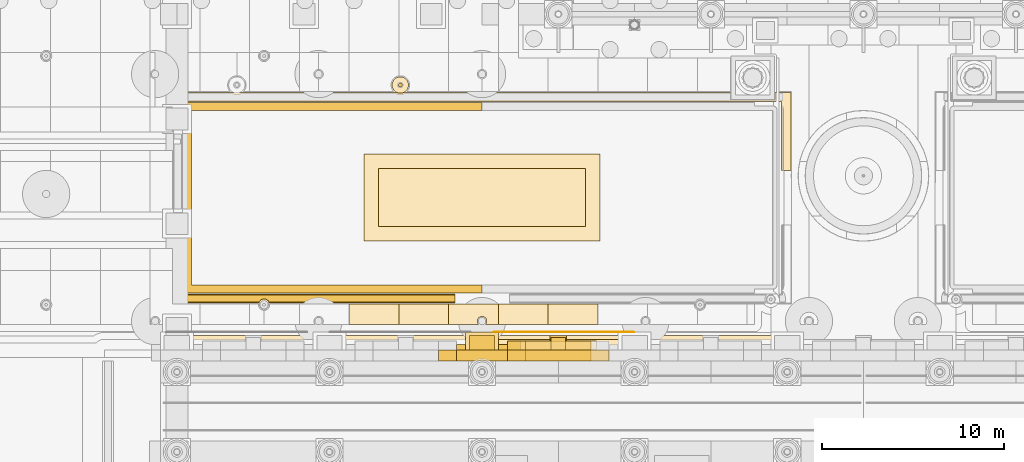
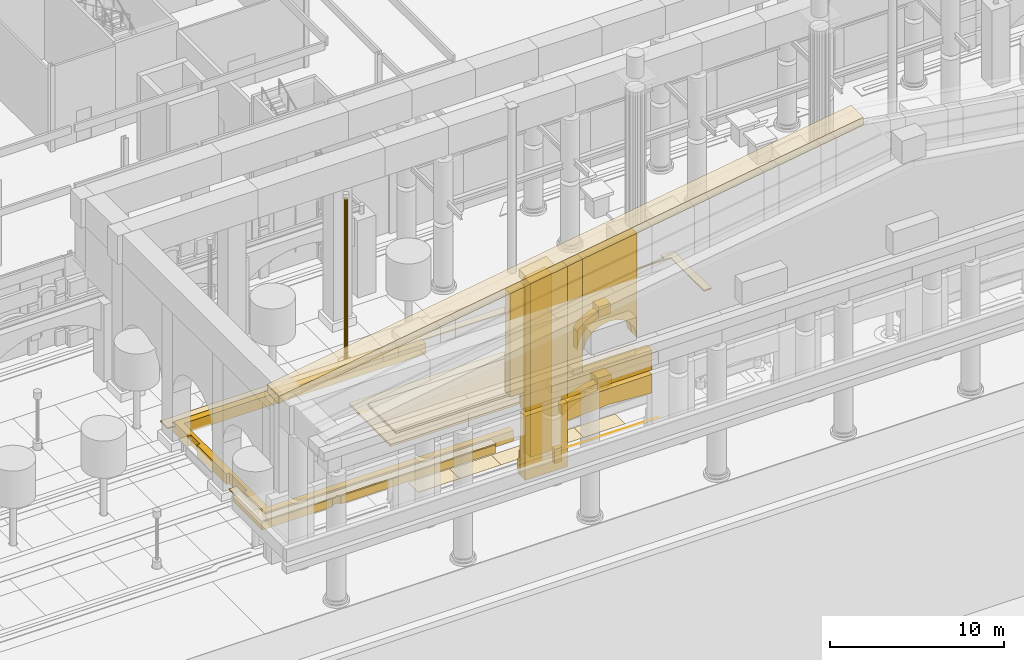
# One storey, part 113 of 222: 34 coverings.
"""IFC4 building model written with IfcOpenShell, lengths in metres."""

from ifc_helpers import new_model, si_unit, direction, frame, origin, origin_2d, place, context, subcontext, project, spatial, polyline, rectangle, circle, outline, extrude, material, layer, layer_set, type_object, element, save


model = new_model("IFC4")

# Units and contexts
model_context = context("Model", 3, precision=1e-05, world=origin(), true_north=direction((0.0, 1.0)))
body_context = subcontext(model_context, "Body", "Model", "MODEL_VIEW")
ifc_project = project(units=[si_unit("LENGTHUNIT", "METRE"), si_unit("AREAUNIT", "SQUARE_METRE"), si_unit("VOLUMEUNIT", "CUBIC_METRE"), si_unit("PLANEANGLEUNIT", "RADIAN"), si_unit("MASSUNIT", "GRAM", prefix="KILO")], contexts=[model_context])

# Site, building, storey
site_placement = place(None, origin())
site = spatial("IfcSite", under=ifc_project, at=site_placement, CompositionType="ELEMENT")
building_placement = place(site_placement, origin())
building = spatial("IfcBuilding", under=site, at=building_placement, Name="Sava Quay Ferry Terminal", CompositionType="ELEMENT")
storey_placement = place(building_placement, origin())
storey = spatial("IfcBuildingStorey", under=building, at=storey_placement, Name="L00", CompositionType="ELEMENT", Elevation=0.0)

# Coverings
ifc_material_1 = material(Name="Limestone Mutalj", Category="masonry")
ifc_layer_1 = layer(ifc_material_1, 0.60009765625)
ifc_layer_set_1 = layer_set([ifc_layer_1], Name="Limestone Mutalj")
covering_type_1 = type_object("IfcCoveringType", Name="Arcade spandrel 600", PredefinedType="CLADDING", material=ifc_layer_set_1)
covering_1_placement = place(storey_placement, frame((43.39990234375, 0.39990234375, 3.199951171875), z_axis=(0.0, 1.0, 0.0), x_axis=(0.0, 0.0, 1.0)))
element("IfcCovering", 1, at=covering_1_placement, inside=storey, type_object=covering_type_1, Name="Arcade spandrel", PredefinedType="CLADDING", context=body_context, shape_type="SweptSolid", body=[
    extrude(outline(polyline([(0.0, 0.0), (1.300048828125, 0.0), (1.300048828125, 5.60009765625), (0.0, 5.60009765625), (0.334228515625, 0.50048828125), (0.60009765625, 1.0400390625), (0.79345703125, 1.609619140625), (0.91064453125, 2.19970703125), (0.949951171875, 2.800048828125), (0.91064453125, 3.400390625), (0.79345703125, 3.990478515625), (0.60009765625, 4.560302734375), (0.334228515625, 5.099853515625), (0.0, 0.0)])), origin(), (0.0, 0.0, -1.0), 0.60009765625),
])
ifc_material_2 = material(Name="Limestone Mutalj", Category="masonry")
ifc_layer_2 = layer(ifc_material_2, 0.60009765625)
ifc_layer_set_2 = layer_set([ifc_layer_2], Name="Limestone Mutalj")
covering_type_2 = type_object("IfcCoveringType", Name="Arcade wall pier 2800", PredefinedType="CLADDING", material=ifc_layer_set_2)
covering_2_placement = place(storey_placement, frame((42.0, 0.10009765625, 0.0), z_axis=(0.0, 0.0, 1.0), x_axis=(1.0, 0.0, 0.0)))
element("IfcCovering", 2, at=covering_2_placement, inside=storey, type_object=covering_type_2, Name="Arcade wall pier", PredefinedType="CLADDING", context=body_context, shape_type="SweptSolid", body=[
    extrude(rectangle(XDim=2.800048828125, YDim=0.60009765625, at=origin_2d()), origin(), (0.0, 0.0, 1.0), 4.5),
])
ifc_material_3 = material(Name="Limestone Mutalj", Category="masonry")
ifc_layer_3 = layer(ifc_material_3, 0.5)
ifc_layer_set_3 = layer_set([ifc_layer_3], Name="Limestone Mutalj")
covering_type_3 = type_object("IfcCoveringType", Name="Arch archivolt 500", PredefinedType="MOLDING", material=ifc_layer_set_3)
covering_3_placement = place(storey_placement, frame((43.39990234375, 0.39990234375, 3.199951171875), z_axis=(0.0, -1.0, 0.0), x_axis=(0.807262114097, 0.0, 0.590193086324)))
element("IfcCovering", 3, at=covering_3_placement, inside=storey, type_object=covering_type_3, Name="Arch archivolt", PredefinedType="MOLDING", context=body_context, shape_type="SweptSolid", body=[
    extrude(outline(polyline([(0.0, 0.0), (0.20807213303693342, 0.0), (0.40946312569333504, -0.008724756359381552), (0.6048553291412851, -0.02606827834192732), (0.7947191130804292, -0.05055987286725966), (0.9793045583559503, -0.08268480563038433), (1.159082034667494, -0.12097238355092349), (1.3343016228602433, -0.16590787232388304), (1.5050544176750553, -0.2169530108861486), (1.6715756039617524, -0.2733724526975312), (1.8339711724565528, -0.33584854893011096), (1.9922792225322041, -0.40350186293473334), (2.1470380152518214, -0.47642348945225554), (2.2977092895522895, -0.5545223337418203), (2.4448313064967238, -0.6378894905442849), (2.741224660639209, -0.23248466420227665), (2.5951112744575355, -0.14773790906029127), (2.44602499135569, -0.06747112452290827), (2.293283460161593, 0.008209698673655286), (2.1372808518293933, 0.07901638031146774), (1.9776229954049414, 0.14523710060846096), (1.8145599717334213, 0.20638659386962865), (1.6475535197517182, 0.26255595483582816), (1.476800724936906, 0.3136010933980936), (1.3020664024391628, 0.35878666301623635), (1.1232445615222704, 0.39879501486233637), (0.9401530127045152, 0.4325496268101647), (0.7522534949227826, 0.46014159360057844), (0.5596519989132898, 0.4808885640614975), (0.3618102636129225, 0.49488163293377874), (0.0, 0.0)])), origin(), (0.0, 0.0, -1.0), 0.5),
])
ifc_material_4 = material(Name="Limestone Mutalj", Category="masonry")
ifc_layer_4 = layer(ifc_material_4, 0.800048828125)
ifc_layer_set_4 = layer_set([ifc_layer_4], Name="Limestone Mutalj")
covering_type_4 = type_object("IfcCoveringType", Name="Arch keystone 900", PredefinedType="CLADDING", material=ifc_layer_set_4)
covering_4_placement = place(storey_placement, frame((46.199951171875, 0.800048828125, 4.14990234375), z_axis=(0.0, 0.0, 1.0), x_axis=(1.0, 0.0, 0.0)))
element("IfcCovering", 4, at=covering_4_placement, inside=storey, type_object=covering_type_4, Name="Arch keystone", PredefinedType="CLADDING", context=body_context, shape_type="SweptSolid", body=[
    extrude(rectangle(XDim=0.89990234375, YDim=0.800048828125, at=origin_2d()), origin(), (0.0, 0.0, 1.0), 0.800048828125),
])
ifc_material_5 = material(Name="Limestone Mutalj", Category="masonry")
ifc_layer_5 = layer(ifc_material_5, 0.60009765625)
ifc_layer_set_5 = layer_set([ifc_layer_5], Name="Limestone Mutalj")
covering_type_5 = type_object("IfcCoveringType", Name="Attic arch head panel 600", PredefinedType="CLADDING", material=ifc_layer_set_5)
covering_5_placement = place(storey_placement, frame((44.39990234375, -0.199951171875, 7.39990234375), z_axis=(0.0, -1.0, 0.0), x_axis=(0.130360467782, 0.0, 0.991466665319)))
element("IfcCovering", 5, at=covering_5_placement, inside=storey, type_object=covering_type_5, Name="Attic arch head panel", PredefinedType="CLADDING", context=body_context, shape_type="SweptSolid", body=[
    extrude(outline(polyline([(0.0, 0.0), (0.47007576696975106, -6.938893903907228e-18), (0.9239096038088954, -0.12180908706656961), (1.330831494966846, -0.35690149367102364), (1.662879321966777, -0.689254396544689), (1.8978626823320743, -1.0961762877026398), (2.019343616297553, -1.5500332017691405), (2.019343616297553, -2.0201089687388913), (1.8975345292309835, -2.473942805578036), (1.6626841799178673, -2.8808328704499067), (1.330331277044202, -3.212880697449838), (0.9234093858862513, -3.447864057815135), (0.46931041452841277, -3.5693768180666936), (7.7312712119527225, -2.614556409395399), (6.708617829426178, 0.8820655186935413), (0.0, 0.0)])), origin(), (0.0, 0.0, -1.0), 0.60009765625),
])
ifc_material_6 = material(Name="Limestone Mutalj", Category="masonry")
ifc_layer_6 = layer(ifc_material_6, 0.60009765625)
ifc_layer_set_6 = layer_set([ifc_layer_6], Name="Limestone Mutalj")
covering_type_6 = type_object("IfcCoveringType", Name="Attic wall pier 2800", PredefinedType="CLADDING", material=ifc_layer_set_6)
covering_6_placement = place(storey_placement, frame((40.60009765625, -0.199951171875, 4.800048828125), z_axis=(0.0, -1.0, 0.0), x_axis=(1.0, 0.0, 0.0)))
element("IfcCovering", 6, at=covering_6_placement, inside=storey, type_object=covering_type_6, Name="Attic wall pier", PredefinedType="CLADDING", context=body_context, shape_type="SweptSolid", body=[
    extrude(outline(polyline([(0.0, 0.0), (2.7998046875, 0.0), (2.7998046875, 9.211181640625), (0.0, 8.777099609375), (0.0, 0.0)])), origin(), (0.0, 0.0, -1.0), 0.60009765625),
])
ifc_material_7 = material(Name="Limestone Mutalj", Category="masonry")
ifc_layer_7 = layer(ifc_material_7, 0.60009765625)
ifc_layer_set_7 = layer_set([ifc_layer_7], Name="Limestone Mutalj")
covering_type_7 = type_object("IfcCoveringType", Name="Attic window jamb panel 600", PredefinedType="CLADDING", material=ifc_layer_set_7)
covering_7_placement = place(storey_placement, frame((39.60009765625, -0.199951171875, 6.199951171875), z_axis=(0.0, -1.0, 0.0), x_axis=(1.0, 0.0, 0.0)))
element("IfcCovering", 7, at=covering_7_placement, inside=storey, type_object=covering_type_7, Name="Attic window jamb panel", PredefinedType="CLADDING", context=body_context, shape_type="SweptSolid", body=[
    extrude(outline(polyline([(0.0, 0.0), (1.0, 0.0), (1.0, 7.377197265625), (0.0, 7.22216796875), (0.0, 0.0)])), origin(), (0.0, 0.0, -1.0), 0.60009765625),
])
covering_8_placement = place(storey_placement, frame((43.39990234375, -0.199951171875, 6.199951171875), z_axis=(0.0, -1.0, 0.0), x_axis=(1.0, 0.0, 0.0)))
element("IfcCovering", 8, at=covering_8_placement, inside=storey, type_object=covering_type_7, Name="Attic window jamb panel", PredefinedType="CLADDING", context=body_context, shape_type="SweptSolid", body=[
    extrude(outline(polyline([(0.0, 0.0), (1.0, 0.0), (1.0, 7.96630859375), (0.0, 7.811279296875), (0.0, 0.0)])), origin(), (0.0, 0.0, -1.0), 0.60009765625),
])
ifc_material_8 = material(Name="Limestone Mutalj", Category="masonry")
ifc_layer_8 = layer(ifc_material_8, 0.60009765625)
ifc_layer_set_8 = layer_set([ifc_layer_8], Name="Limestone Mutalj")
covering_type_8 = type_object("IfcCoveringType", Name="Attic window sill panel 600", PredefinedType="CLADDING", material=ifc_layer_set_8)
covering_9_placement = place(storey_placement, frame((43.39990234375, -0.199951171875, 4.800048828125), z_axis=(0.0, -1.0, 0.0), x_axis=(1.0, 0.0, 0.0)))
element("IfcCovering", 9, at=covering_9_placement, inside=storey, type_object=covering_type_8, Name="Attic window sill panel", PredefinedType="CLADDING", context=body_context, shape_type="SweptSolid", body=[
    extrude(outline(polyline([(0.0, 0.0), (5.60009765625, 0.0), (5.60009765625, 1.39990234375), (0.0, 1.39990234375), (0.0, 0.0)])), origin(), (0.0, 0.0, -1.0), 0.60009765625),
])
ifc_material_9 = material(Name="Limestone Mutalj", Category="masonry")
ifc_layer_9 = layer(ifc_material_9, 0.800048828125)
ifc_layer_set_9 = layer_set([ifc_layer_9], Name="Limestone Mutalj")
covering_type_9 = type_object("IfcCoveringType", Name="Back wall pilaster 800", PredefinedType="CLADDING", material=ifc_layer_set_9)
covering_10_placement = place(storey_placement, frame((41.300048828125, 0.39990234375, 1.0), z_axis=(0.0, -1.0, 0.0), x_axis=(1.0, 0.0, 0.0)))
element("IfcCovering", 10, at=covering_10_placement, inside=storey, type_object=covering_type_9, Name="Back wall pilaster", PredefinedType="CLADDING", context=body_context, shape_type="SweptSolid", body=[
    extrude(outline(polyline([(0.0, 0.0), (1.39990234375, 0.0), (1.39990234375, 12.402587890625), (0.0, 12.185791015625), (0.0, 0.0)])), origin(), (0.0, 0.0, -1.0), 0.800048828125),
])
ifc_material_10 = material(Name="Limestone Mutalj", Category="masonry")
ifc_layer_10 = layer(ifc_material_10, 1.0)
ifc_layer_set_10 = layer_set([ifc_layer_10], Name="Limestone Mutalj")
covering_type_10 = type_object("IfcCoveringType", Name="Back wall pilaster base 1000", PredefinedType="MOLDING", material=ifc_layer_set_10)
covering_11_placement = place(storey_placement, frame((42.0, 0.89990234375, 0.0), z_axis=(0.0, 0.0, 1.0), x_axis=(1.0, 0.0, 0.0)))
element("IfcCovering", 11, at=covering_11_placement, inside=storey, type_object=covering_type_10, Name="Back wall pilaster base", PredefinedType="MOLDING", context=body_context, shape_type="SweptSolid", body=[
    extrude(rectangle(XDim=1.800048828125, YDim=1.0, at=origin_2d()), origin(), (0.0, 0.0, 1.0), 1.0),
])
ifc_material_11 = material(Name="Limestone Mutalj", Category="masonry")
ifc_layer_11 = layer(ifc_material_11, 1.0)
ifc_layer_set_11 = layer_set([ifc_layer_11], Name="Limestone Mutalj")
covering_type_11 = type_object("IfcCoveringType", Name="Back wall pilaster capital 1000", PredefinedType="MOLDING", material=ifc_layer_set_11)
covering_12_placement = place(storey_placement, frame((41.10009765625, 0.39990234375, 13.15478515625), z_axis=(0.0, -1.0, 0.0), x_axis=(0.988213093649, 0.0, 0.15308455683)))
element("IfcCovering", 12, at=covering_12_placement, inside=storey, type_object=covering_type_11, Name="Back wall pilaster capital", PredefinedType="MOLDING", context=body_context, shape_type="SweptSolid", body=[
    extrude(outline(polyline([(0.0, 0.0), (1.8212718482137216, 0.0), (1.897814126628515, 0.4941065468247433), (0.07654227841479339, 0.4941065468247433), (0.0, 0.0)])), origin(), (0.0, 0.0, -1.0), 1.0),
])
ifc_material_12 = material(Name="Basalt setts", Category="masonry")
ifc_layer_12 = layer(ifc_material_12, 0.02001953125)
ifc_layer_set_12 = layer_set([ifc_layer_12], Name="Basalt setts")
covering_type_12 = type_object("IfcCoveringType", Name="Basalt inlay line 20", PredefinedType="FLOORING", material=ifc_layer_set_12)
covering_13_placement = place(storey_placement, frame((0.0, 0.0, 0.050048828125)))
element("IfcCovering", 13, at=covering_13_placement, inside=storey, type_object=covering_type_12, Name="Basalt inlay line", PredefinedType="FLOORING", context=body_context, shape_type="SweptSolid", body=[
    extrude(outline(polyline([(50.3759765625, 1.3798828125), (50.339111328125, 1.419921875), (42.660888671875, 1.419921875), (42.623046875, 1.3798828125), (50.3759765625, 1.3798828125)])), origin(), (0.0, 0.0, 1.0), 0.02001953125),
])
ifc_material_13 = material(Name="Foliage clipped hedge")
ifc_layer_13 = layer(ifc_material_13, 0.449951171875)
ifc_layer_set_13 = layer_set([ifc_layer_13], Name="Foliage clipped hedge")
covering_type_13 = type_object("IfcCoveringType", Name="Clipped hedge 450", PredefinedType="CLADDING", material=ifc_layer_set_13)
covering_14_placement = place(storey_placement, origin())
element("IfcCovering", 14, at=covering_14_placement, inside=storey, type_object=covering_type_13, Name="Clipped hedge", PredefinedType="CLADDING", context=body_context, shape_type="SweptSolid", body=[
    extrude(outline(polyline([(25.550048828125, 3.550048828125), (42.0, 3.550048828125), (42.0, 3.989990234375), (26.0, 3.989990234375), (25.993896484375, 3.991943359375), (25.990966796875, 3.9951171875), (25.989990234375, 4.0), (25.989990234375, 13.60009765625), (25.992919921875, 13.60693359375), (26.0, 13.610107421875), (42.0, 13.610107421875), (42.0, 14.050048828125), (25.550048828125, 14.050048828125), (25.550048828125, 12.409912109375), (25.75, 12.409912109375), (25.757080078125, 12.406982421875), (25.760009765625, 12.39990234375), (25.760009765625, 11.39794921875), (25.756103515625, 11.39208984375), (25.75, 11.389892578125), (25.550048828125, 11.389892578125), (25.550048828125, 8.010009765625), (25.75, 8.010009765625), (25.756103515625, 8.008056640625), (25.760009765625, 8.0009765625), (25.760009765625, 6.0), (25.757080078125, 5.992919921875), (25.75, 5.989990234375), (25.550048828125, 5.989990234375), (25.550048828125, 3.550048828125)])), origin(), (0.0, 0.0, 1.0), 0.75),
])
ifc_material_14 = material(Name="Limestone Mutalj", Category="masonry")
ifc_layer_14 = layer(ifc_material_14, 0.030029296875)
ifc_layer_set_14 = layer_set([ifc_layer_14], Name="Limestone Mutalj")
covering_type_14 = type_object("IfcCoveringType", Name="Court paving tile 30", PredefinedType="FLOORING", material=ifc_layer_set_14)
covering_15_placement = place(storey_placement, origin())
element("IfcCovering", 15, at=covering_15_placement, inside=storey, type_object=covering_type_14, Name="Limestone paving tile", PredefinedType="FLOORING", context=body_context, shape_type="SweptSolid", body=[
    extrude(outline(polyline([(34.679931640625, 1.81005859375), (37.419921875, 1.81005859375), (37.419921875, 2.949951171875), (34.679931640625, 2.949951171875), (34.679931640625, 1.81005859375)])), origin(), (0.0, 0.0, 1.0), 0.030029296875),
])
covering_16_placement = place(storey_placement, origin())
element("IfcCovering", 16, at=covering_16_placement, inside=storey, type_object=covering_type_14, Name="Limestone paving tile", PredefinedType="FLOORING", context=body_context, shape_type="SweptSolid", body=[
    extrude(outline(polyline([(42.4580078125, 1.81005859375), (42.89990234375, 1.81005859375), (42.89990234375, 2.949951171875), (40.159912109375, 2.949951171875), (40.159912109375, 1.81005859375), (41.5419921875, 1.81005859375), (41.548095703125, 1.80810546875), (41.552978515625, 1.800048828125), (41.833984375, 1.800048828125), (41.799072265625, 1.8349609375), (41.783935546875, 1.85498046875), (41.77099609375, 1.876953125), (41.7509765625, 1.925048828125), (41.7451171875, 1.948974609375), (41.740966796875, 1.97509765625), (41.739990234375, 2.0), (41.740966796875, 2.02490234375), (41.7451171875, 2.051025390625), (41.7509765625, 2.074951171875), (41.77099609375, 2.123046875), (41.783935546875, 2.14501953125), (41.799072265625, 2.1650390625), (41.81689453125, 2.18408203125), (41.8349609375, 2.200927734375), (41.85498046875, 2.216064453125), (41.8779296875, 2.22998046875), (41.924072265625, 2.2490234375), (41.97412109375, 2.259033203125), (42.0, 2.260009765625), (42.02490234375, 2.259033203125), (42.075927734375, 2.2490234375), (42.1220703125, 2.22998046875), (42.14501953125, 2.216064453125), (42.1650390625, 2.200927734375), (42.18310546875, 2.18408203125), (42.200927734375, 2.1650390625), (42.216064453125, 2.14501953125), (42.22900390625, 2.123046875), (42.2490234375, 2.074951171875), (42.2548828125, 2.051025390625), (42.259033203125, 2.02490234375), (42.260009765625, 2.0), (42.259033203125, 1.97509765625), (42.2548828125, 1.948974609375), (42.2490234375, 1.925048828125), (42.22900390625, 1.876953125), (42.216064453125, 1.85498046875), (42.200927734375, 1.8349609375), (42.166015625, 1.800048828125), (42.447021484375, 1.800048828125), (42.450927734375, 1.80810546875), (42.4580078125, 1.81005859375)])), origin(), (0.0, 0.0, 1.0), 0.030029296875),
])
covering_17_placement = place(storey_placement, origin())
element("IfcCovering", 17, at=covering_17_placement, inside=storey, type_object=covering_type_14, Name="Limestone paving tile", PredefinedType="FLOORING", context=body_context, shape_type="SweptSolid", body=[
    extrude(outline(polyline([(45.639892578125, 1.81005859375), (48.3798828125, 1.81005859375), (48.3798828125, 2.949951171875), (45.639892578125, 2.949951171875), (45.639892578125, 1.81005859375)])), origin(), (0.0, 0.0, 1.0), 0.030029296875),
])
ifc_material_15 = material(Name="Red sandstone Vrsac", Category="masonry")
ifc_layer_15 = layer(ifc_material_15, 0.030029296875)
ifc_layer_set_15 = layer_set([ifc_layer_15], Name="Red sandstone Vrsac")
covering_type_15 = type_object("IfcCoveringType", Name="Court paving tile sandstone 30", PredefinedType="FLOORING", material=ifc_layer_set_15)
covering_18_placement = place(storey_placement, origin())
element("IfcCovering", 18, at=covering_18_placement, inside=storey, type_object=covering_type_15, Name="Sandstone paving tile", PredefinedType="FLOORING", context=body_context, shape_type="SweptSolid", body=[
    extrude(outline(polyline([(37.419921875, 1.81005859375), (40.159912109375, 1.81005859375), (40.159912109375, 2.949951171875), (37.419921875, 2.949951171875), (37.419921875, 1.81005859375)])), origin(), (0.0, 0.0, 1.0), 0.030029296875),
])
covering_19_placement = place(storey_placement, origin())
element("IfcCovering", 19, at=covering_19_placement, inside=storey, type_object=covering_type_15, Name="Sandstone paving tile", PredefinedType="FLOORING", context=body_context, shape_type="SweptSolid", body=[
    extrude(outline(polyline([(42.89990234375, 1.81005859375), (45.639892578125, 1.81005859375), (45.639892578125, 2.949951171875), (42.89990234375, 2.949951171875), (42.89990234375, 1.81005859375)])), origin(), (0.0, 0.0, 1.0), 0.030029296875),
])
ifc_material_16 = material(Name="Limestone Mutalj", Category="masonry")
ifc_layer_16 = layer(ifc_material_16, 1.39990234375)
ifc_layer_set_16 = layer_set([ifc_layer_16], Name="Limestone Mutalj")
covering_type_16 = type_object("IfcCoveringType", Name="Eaves cornice band 1400", PredefinedType="MOLDING", material=ifc_layer_set_16)
covering_20_placement = place(storey_placement, frame((24.300048828125, -0.199951171875, 11.050048828125), z_axis=(0.0, -1.0, 0.0), x_axis=(0.988193878379, 0.0, 0.153208546542)))
element("IfcCovering", 20, at=covering_20_placement, inside=storey, type_object=covering_type_16, Name="Eaves cornice band", PredefinedType="MOLDING", context=body_context, shape_type="SweptSolid", body=[
    extrude(outline(polyline([(0.0, 0.0), (39.162306120879926, 8.881784197001252e-16), (39.24657830236391, 0.5435548847629077), (0.08427218148398066, 0.5435548847629067), (0.0, 0.0)])), origin(), (0.0, 0.0, -1.0), 1.39990234375),
])
ifc_material_17 = material(Name="Limestone Mutalj", Category="masonry")
ifc_layer_17 = layer(ifc_material_17, 0.60009765625)
ifc_layer_set_17 = layer_set([ifc_layer_17], Name="Limestone Mutalj")
covering_type_17 = type_object("IfcCoveringType", Name="Face string course 600", PredefinedType="MOLDING", material=ifc_layer_set_17)
covering_21_placement = place(storey_placement, frame((46.199951171875, 0.699951171875, 5.0), z_axis=(0.0, 0.0, 1.0), x_axis=(1.0, 0.0, 0.0)))
element("IfcCovering", 21, at=covering_21_placement, inside=storey, type_object=covering_type_17, Name="Face string course", PredefinedType="MOLDING", context=body_context, shape_type="SweptSolid", body=[
    extrude(rectangle(XDim=7.0, YDim=0.60009765625, at=origin_2d()), origin(), (0.0, 0.0, 1.0), 0.5),
])
ifc_material_18 = material(Name="Steel S355", Category="steel")
ifc_layer_18 = layer(ifc_material_18, 0.89990234375)
ifc_layer_set_18 = layer_set([ifc_layer_18], Name="Steel S355")
covering_type_18 = type_object("IfcCoveringType", Name="Flagstaff base plate 900", PredefinedType="MOLDING", material=ifc_layer_set_18)
covering_22_placement = place(storey_placement, frame((37.5, 15.0, 0.25), z_axis=(0.0, 0.0, -1.0), x_axis=(1.0, 0.0, 0.0)))
element("IfcCovering", 22, at=covering_22_placement, inside=storey, type_object=covering_type_18, Name="Flagstaff base plate", PredefinedType="MOLDING", context=body_context, shape_type="SweptSolid", body=[
    extrude(circle(Radius=0.449951171875, at=origin_2d()), origin(), (0.0, 0.0, 1.0), 0.25),
])
ifc_material_19 = material(Name="Steel S355", Category="steel")
ifc_layer_19 = layer(ifc_material_19, 0.219970703125)
ifc_layer_set_19 = layer_set([ifc_layer_19], Name="Steel S355")
covering_type_19 = type_object("IfcCoveringType", Name="Flagstaff mast 220", PredefinedType="CLADDING", material=ifc_layer_set_19)
covering_23_placement = place(storey_placement, frame((37.5, 15.0, 11.64990234375), z_axis=(0.0, 0.0, -1.0), x_axis=(1.0, 0.0, 0.0)))
element("IfcCovering", 23, at=covering_23_placement, inside=storey, type_object=covering_type_19, Name="Flagstaff mast", PredefinedType="CLADDING", context=body_context, shape_type="SweptSolid", body=[
    extrude(circle(Radius=0.110107421875, at=origin_2d()), origin(), (0.0, 0.0, 1.0), 11.39990234375),
])
ifc_material_20 = material(Name="Limestone Mutalj", Category="masonry")
ifc_layer_20 = layer(ifc_material_20, 0.080078125)
ifc_layer_set_20 = layer_set([ifc_layer_20], Name="Limestone Mutalj")
covering_type_20 = type_object("IfcCoveringType", Name="Garden bed wall coping 450", PredefinedType="MOLDING", material=ifc_layer_set_20)
covering_24_placement = place(storey_placement, frame((0.0, 0.0, 0.60009765625)))
element("IfcCovering", 24, at=covering_24_placement, inside=storey, type_object=covering_type_20, Name="Garden bed wall coping", PredefinedType="MOLDING", context=body_context, shape_type="SweptSolid", body=[
    extrude(outline(polyline([(55.679931640625, 14.60009765625), (25.0, 14.60009765625), (25.0, 13.7529296875), (25.5, 13.7529296875), (25.5, 14.10009765625), (58.5, 14.10009765625), (58.5, 10.300048828125), (59.0, 10.300048828125), (59.0, 14.60009765625), (58.1201171875, 14.60009765625), (58.1201171875, 14.199951171875), (58.117919921875, 14.19189453125), (58.114990234375, 14.18701171875), (58.10888671875, 14.181884765625), (58.10205078125, 14.179931640625), (55.699951171875, 14.179931640625), (55.69189453125, 14.181884765625), (55.68603515625, 14.18603515625), (55.681884765625, 14.19189453125), (55.679931640625, 14.199951171875), (55.679931640625, 14.60009765625)])), origin(), (0.0, 0.0, 1.0), 0.079833984375),
])
covering_25_placement = place(storey_placement, frame((0.0, 0.0, 0.60009765625)))
element("IfcCovering", 25, at=covering_25_placement, inside=storey, type_object=covering_type_20, Name="Garden bed wall coping", PredefinedType="MOLDING", context=body_context, shape_type="SweptSolid", body=[
    extrude(outline(polyline([(25.5, 3.5), (25.5, 6.7470703125), (25.0, 6.7470703125), (25.0, 3.0), (29.887939453125, 3.0), (29.904052734375, 3.014892578125), (29.916015625, 3.02392578125), (29.94189453125, 3.0380859375), (29.969970703125, 3.047119140625), (30.0009765625, 3.050048828125), (30.030029296875, 3.047119140625), (30.05810546875, 3.0380859375), (30.083984375, 3.02392578125), (30.095947265625, 3.014892578125), (30.112060546875, 3.0), (40.5, 3.0), (40.5, 3.5), (25.5, 3.5)])), origin(), (0.0, 0.0, 1.0), 0.079833984375),
])
ifc_material_21 = material(Name="Limestone Mutalj", Category="masonry")
ifc_layer_21 = layer(ifc_material_21, 0.300048828125)
ifc_layer_set_21 = layer_set([ifc_layer_21], Name="Limestone Mutalj")
covering_type_21 = type_object("IfcCoveringType", Name="Pier rustication block 300", PredefinedType="CLADDING", material=ifc_layer_set_21)
for number, where, z_axis, x_axis, name in (
    (26, (40.85009765625, 0.550048828125, 0.0), (0.0, 0.0, 1.0), (1.0, 0.0, 0.0), "Pier rustication block"),
    (27, (43.14990234375, 0.550048828125, 0.0), (0.0, 0.0, 1.0), (1.0, 0.0, 0.0), "Pier rustication block"),
):
    element("IfcCovering", number, at=place(storey_placement, frame(where, z_axis=z_axis, x_axis=x_axis)), inside=storey, type_object=covering_type_21, Name=name, PredefinedType="CLADDING", context=body_context, shape_type="SweptSolid", body=[
        extrude(rectangle(XDim=0.5, YDim=0.300048828125, at=origin_2d()), origin(), (0.0, 0.0, 1.0), 1.0),
    ])
ifc_material_22 = material(Name="Limestone Mutalj", Category="masonry")
ifc_layer_22 = layer(ifc_material_22, 0.39990234375)
ifc_layer_set_22 = layer_set([ifc_layer_22], Name="Limestone Mutalj")
covering_type_22 = type_object("IfcCoveringType", Name="Retaining wall 400", PredefinedType="CLADDING", material=ifc_layer_set_22)
covering_26_placement = place(storey_placement, origin())
element("IfcCovering", 28, at=covering_26_placement, inside=storey, type_object=covering_type_22, Name="Retaining wall", PredefinedType="CLADDING", context=body_context, shape_type="SweptSolid", body=[
    extrude(outline(polyline([(25.449951171875, 3.449951171875), (25.449951171875, 6.547119140625), (25.389892578125, 6.547119140625), (25.389892578125, 6.3779296875), (25.386962890625, 6.368896484375), (25.37890625, 6.362060546875), (25.3701171875, 6.360107421875), (25.050048828125, 6.360107421875), (25.050048828125, 3.050048828125), (29.717041015625, 3.050048828125), (29.73388671875, 3.0791015625), (29.751953125, 3.10205078125), (29.77294921875, 3.1259765625), (29.798095703125, 3.14794921875), (29.821044921875, 3.166015625), (29.847900390625, 3.181884765625), (29.8779296875, 3.196044921875), (29.907958984375, 3.2060546875), (29.93701171875, 3.214111328125), (29.968017578125, 3.218017578125), (30.0009765625, 3.219970703125), (30.030029296875, 3.218994140625), (30.06103515625, 3.214111328125), (30.093994140625, 3.2060546875), (30.1220703125, 3.196044921875), (30.14990234375, 3.18310546875), (30.177001953125, 3.1669921875), (30.201904296875, 3.14794921875), (30.22705078125, 3.1259765625), (30.248046875, 3.10205078125), (30.26611328125, 3.0791015625), (30.282958984375, 3.050048828125), (40.5, 3.050048828125), (40.5, 3.449951171875), (25.449951171875, 3.449951171875)])), origin(), (0.0, 0.0, 1.0), 0.60009765625),
])
ifc_material_23 = material(Name="Limestone Mutalj", Category="masonry")
ifc_layer_23 = layer(ifc_material_23, 0.14990234375)
ifc_layer_set_23 = layer_set([ifc_layer_23], Name="Limestone Mutalj")
covering_type_23 = type_object("IfcCoveringType", Name="Stone step 150", PredefinedType="MOLDING", material=ifc_layer_set_23)
covering_27_placement = place(storey_placement, frame((0.0, 0.0, 0.14990234375)))
element("IfcCovering", 29, at=covering_27_placement, inside=storey, type_object=covering_type_23, Name="Stone step 150", PredefinedType="MOLDING", context=body_context, shape_type="SweptSolid", body=[
    extrude(outline(polyline([(48.5, 11.199951171875), (35.5, 11.199951171875), (35.5, 6.39990234375), (48.5, 6.39990234375), (48.5, 11.199951171875)]), holes=[polyline([(36.300048828125, 10.39990234375), (47.699951171875, 10.39990234375), (47.699951171875, 7.199951171875), (36.300048828125, 7.199951171875), (36.300048828125, 10.39990234375)])]), origin(), (0.0, 0.0, 1.0), 0.150146484375),
])
ifc_material_24 = material(Name="Limestone Mutalj", Category="masonry")
ifc_layer_24 = layer(ifc_material_24, 0.14990234375)
ifc_layer_set_24 = layer_set([ifc_layer_24], Name="Limestone Mutalj")
covering_type_24 = type_object("IfcCoveringType", Name="Stone step 300", PredefinedType="MOLDING", material=ifc_layer_set_24)
covering_28_placement = place(storey_placement, frame((0.0, 0.0, 0.14990234375)))
element("IfcCovering", 30, at=covering_28_placement, inside=storey, type_object=covering_type_24, Name="Stone step 300", PredefinedType="MOLDING", context=body_context, shape_type="SweptSolid", body=[
    extrude(outline(polyline([(36.300048828125, 7.199951171875), (47.699951171875, 7.199951171875), (47.699951171875, 10.39990234375), (36.300048828125, 10.39990234375), (36.300048828125, 7.199951171875)])), origin(), (0.0, 0.0, 1.0), 0.300048828125),
])
ifc_material_25 = material(Name="Limestone Mutalj", Category="masonry")
ifc_layer_25 = layer(ifc_material_25, 0.5)
ifc_layer_set_25 = layer_set([ifc_layer_25], Name="Limestone Mutalj")
covering_type_25 = type_object("IfcCoveringType", Name="Window archivolt 450", PredefinedType="MOLDING", material=ifc_layer_set_25)
covering_29_placement = place(storey_placement, frame((44.39990234375, 0.39990234375, 7.39990234375), z_axis=(0.0, -1.0, 0.0), x_axis=(0.166773131648, 0.0, 0.985995295405)))
element("IfcCovering", 31, at=covering_29_placement, inside=storey, type_object=covering_type_25, Name="Window archivolt", PredefinedType="MOLDING", context=body_context, shape_type="SweptSolid", body=[
    extrude(outline(polyline([(0.0, 0.0), (0.600202534188676, 0.0), (0.8465444521066302, -0.05985266199298514), (1.0312209479651981, -0.12988792320633322), (1.1824778703546248, -0.205823443353896), (1.3110662549267451, -0.28534555507361514), (1.423085571566425, -0.3679177989659783), (1.5216244837767443, -0.4527701442675981), (1.6092902120454475, -0.5392139924082746), (1.6871270745963916, -0.627567922016967), (1.7567386897900579, -0.7170654774021836), (1.8186879328349692, -0.8081066693860715), (1.8736562521575328, -0.9003286281711811), (1.9218436531688226, -0.993449916153252), (1.964053732585027, -1.0878298280578367), (2.4168508885069504, -1.0112428503647721), (2.3799366822594235, -0.9159671843351223), (2.3384894834628147, -0.8217058456484231), (2.2919464169086012, -0.728058823482528), (2.2403481986933778, -0.635266839345104), (2.183494823406071, -0.5436113308404124), (2.120823415838158, -0.4526922871463064), (2.0521746866751602, -0.3630318673747142), (1.9767450392008878, -0.2742707768000832), (1.894093746496601, -0.18673116912326815), (1.803539360135892, -0.10077591414171799), (1.7037968403872368, -0.01612714932306758), (1.5932625688901534, 0.06644866964119167), (1.4699293413901169, 0.14710725699364308), (1.3311899373993823, 0.22516001416408696), (0.0, 0.0)])), origin(), (0.0, 0.0, -1.0), 0.5),
])
covering_30_placement = place(storey_placement, frame((46.60009765625, 0.39990234375, 9.155029296875), z_axis=(0.0, -1.0, 0.0), x_axis=(0.96801818973, 0.0, -0.250880019832)))
element("IfcCovering", 32, at=covering_30_placement, inside=storey, type_object=covering_type_25, Name="Window archivolt", PredefinedType="MOLDING", context=body_context, shape_type="SweptSolid", body=[
    extrude(outline(polyline([(0.0, 0.0), (0.10315251994676819, 3.469446951953614e-18), (0.20807262258043546, -0.005847064141461848), (0.31447139278382313, -0.018372690131625777), (0.42288274569347745, -0.03769071052666015), (0.5332540987580718, -0.06457137302896335), (0.6454716194214378, -0.09954859277508149), (0.760436722849173, -0.14415419771629584), (0.8779217439289405, -0.19945601812569885), (0.9990730978457054, -0.2679312122179804), (1.1244507020965597, -0.3527133533540602), (1.2553494742366984, -0.4597720056850839), (1.39499832961571, -0.5996196346647147), (1.5500908536683904, -0.8000296505073374), (1.7954572174044825, -1.3477872881477784), (1.4567446906289003, -0.040868198985391124), (1.3287945861746873, 0.05383990991647902), (1.2050008145962063, 0.1334839846086534), (1.0842169607084928, 0.20054118330582205), (0.9664256896045159, 0.25702466654448575), (0.8507255861186783, 0.304466262275926), (0.7370467327926224, 0.3441088833342452), (0.6254417121776752, 0.37672277742184185), (0.5153153591324484, 0.40265810966073645), (0.4069565887741206, 0.42274637775816915), (0.2998314859661457, 0.4371014142703084), (0.19405388326469214, 0.44625713433370034), (0.08979886323077019, 0.450511120519039), (-0.013406239267324524, 0.4497408728166407), (-0.1152112591075714, 0.4445415563678934), (0.0, 0.0)])), origin(), (0.0, 0.0, -1.0), 0.5),
])
ifc_material_26 = material(Name="Limestone Mutalj", Category="masonry")
ifc_layer_26 = layer(ifc_material_26, 0.699951171875)
ifc_layer_set_26 = layer_set([ifc_layer_26], Name="Limestone Mutalj")
covering_type_26 = type_object("IfcCoveringType", Name="Window keystone 800", PredefinedType="CLADDING", material=ifc_layer_set_26)
covering_31_placement = place(storey_placement, frame((46.199951171875, 0.75, 9.199951171875), z_axis=(0.0, 0.0, 1.0), x_axis=(1.0, 0.0, 0.0)))
element("IfcCovering", 33, at=covering_31_placement, inside=storey, type_object=covering_type_26, Name="Window keystone", PredefinedType="CLADDING", context=body_context, shape_type="SweptSolid", body=[
    extrude(rectangle(XDim=0.800048828125, YDim=0.699951171875, at=origin_2d()), origin(), (0.0, 0.0, 1.0), 0.75),
])
ifc_material_27 = material(Name="Limestone Mutalj", Category="masonry")
ifc_layer_27 = layer(ifc_material_27, 0.5)
ifc_layer_set_27 = layer_set([ifc_layer_27], Name="Limestone Mutalj")
covering_type_27 = type_object("IfcCoveringType", Name="Window sill band 400", PredefinedType="MOLDING", material=ifc_layer_set_27)
covering_32_placement = place(storey_placement, frame((46.199951171875, 0.64990234375, 5.800048828125), z_axis=(0.0, 0.0, 1.0), x_axis=(1.0, 0.0, 0.0)))
element("IfcCovering", 34, at=covering_32_placement, inside=storey, type_object=covering_type_27, Name="Window sill band", PredefinedType="MOLDING", context=body_context, shape_type="SweptSolid", body=[
    extrude(rectangle(XDim=4.199951171875, YDim=0.5, at=origin_2d()), origin(), (0.0, 0.0, 1.0), 0.39990234375),
])

save(model, "model.ifc")
